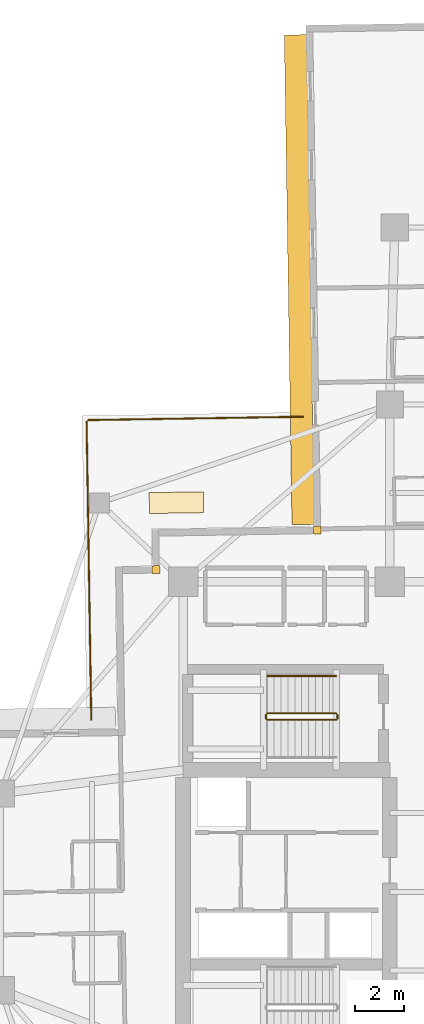
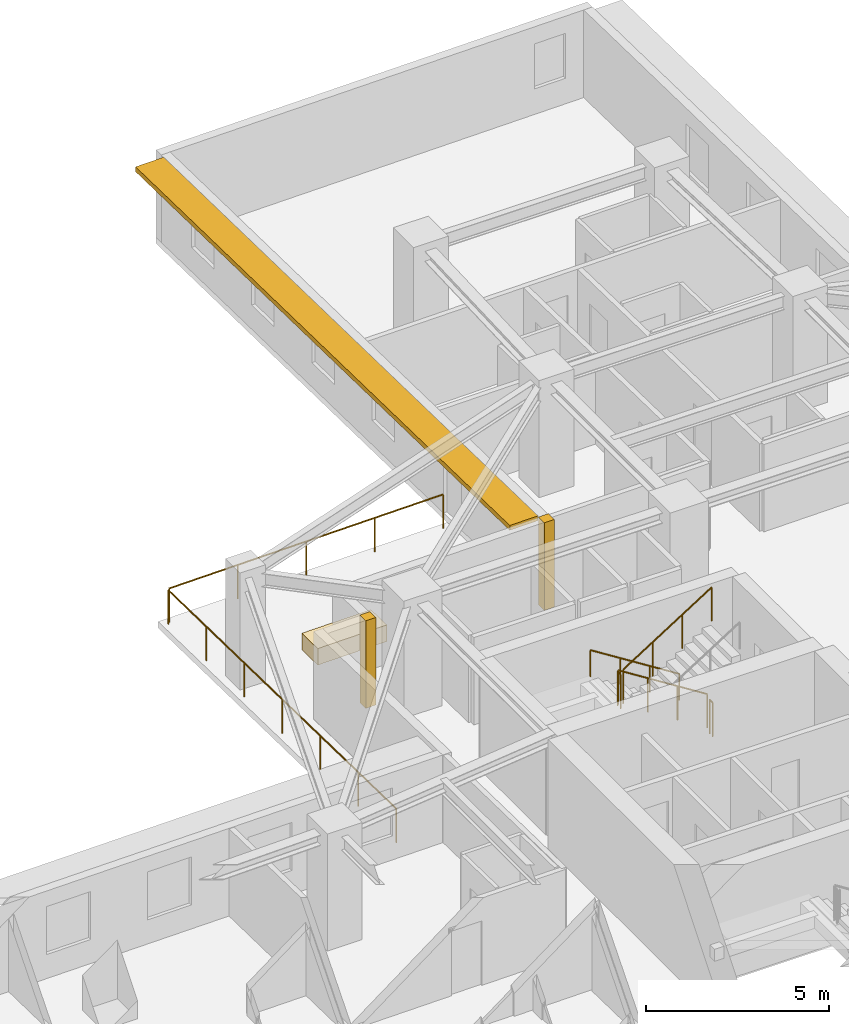
# One storey, part 12 of 13: 7 railings, 3 coverings, 1 shading device.
"""IFC4 building model written with IfcOpenShell, lengths in metres."""

import ifcopenshell
import ifcopenshell.guid

model = None  # the IFC model being written
_history = None  # IfcOwnerHistory: only IFC2X3 demands one
_inside = {}  # id of a spatial element -> (the spatial element, [elements in it])
_under = {}  # id of a project, library or spatial element -> (it, [spatial elements below it])
_declared = {}  # id of a project -> (the project, [libraries it declares])
_typed = {}  # id of a type object -> (the type object, [elements of that type])
_made_of = {}  # id of a material, layer set ... -> (it, [elements and type objects made of it])


def new_model(schema):
    """Start an empty IFC model of exactly this schema.

    Asked for "IFC4X3", IfcOpenShell would pick the latest addendum, in which some entities
    have other attributes; the version numbers below select the first issue.
    IFC2X3 requires an IfcOwnerHistory on every rooted entity: one is made here for all.
    """
    global model, _history
    if schema == "IFC4X3":
        model = ifcopenshell.file(schema_version=(4, 3, 0, 0))
    else:
        model = ifcopenshell.file(schema=schema)
    _inside.clear()
    _under.clear()
    _declared.clear()
    _typed.clear()
    _made_of.clear()
    _history = None
    if model.schema == "IFC2X3":
        org = make("IfcOrganization", Name="unknown")
        user = make(
            "IfcPersonAndOrganization",
            ThePerson=make("IfcPerson", FamilyName="unknown"),
            TheOrganization=org,
        )
        app = make(
            "IfcApplication",
            ApplicationDeveloper=org,
            Version="unknown",
            ApplicationFullName="unknown",
            ApplicationIdentifier="unknown",
        )
        _history = make(
            "IfcOwnerHistory",
            OwningUser=user,
            OwningApplication=app,
            ChangeAction="ADDED",
            CreationDate=0,
        )
    return model


def make(cls, **values):
    """One entity of the class cls with the attributes given. An attribute that is None is left unset."""
    return model.create_entity(
        cls, **{name: value for name, value in values.items() if value is not None}
    )


def rooted(cls, **values):
    """An entity with a GlobalId (a new one), such as an element, a storey or a relation."""
    return make(cls, GlobalId=ifcopenshell.guid.new(), OwnerHistory=_history, **values)


def si_unit(unit_type, name, prefix=None):
    """IfcSIUnit, for example si_unit("LENGTHUNIT", "METRE", prefix="MILLI")."""
    return make("IfcSIUnit", UnitType=unit_type, Prefix=prefix, Name=name)


def assignment(units):
    """IfcUnitAssignment: the units of a project."""
    return None if units is None else make("IfcUnitAssignment", Units=units)


def point(xyz):
    """IfcCartesianPoint."""
    return None if xyz is None else make("IfcCartesianPoint", Coordinates=xyz)


def direction(xyz):
    """IfcDirection."""
    return None if xyz is None else make("IfcDirection", DirectionRatios=xyz)


def frame(location, z_axis=None, x_axis=None):
    """IfcAxis2Placement3D, a coordinate frame: its origin and axes. An axis left out is left unset."""
    return make(
        "IfcAxis2Placement3D",
        Location=point(location),
        Axis=direction(z_axis),
        RefDirection=direction(x_axis),
    )


def frame_2d(location, x_axis=None):
    """IfcAxis2Placement2D, a coordinate frame in the plane: its origin and x axis."""
    return make(
        "IfcAxis2Placement2D", Location=point(location), RefDirection=direction(x_axis)
    )


def origin():
    """The frame at (0, 0, 0) with its axes left unset."""
    return frame((0.0, 0.0, 0.0))


def origin_2d():
    """The frame at (0, 0) in the plane with its x axis left unset."""
    return frame_2d((0.0, 0.0))


def place(relative_to, where):
    """IfcLocalPlacement: puts the frame where relative to a parent placement (None: the world)."""
    return make(
        "IfcLocalPlacement", PlacementRelTo=relative_to, RelativePlacement=where
    )


def context(
    kind, dimensions, precision=None, world=None, true_north=None, identifier=None
):
    """IfcGeometricRepresentationContext, for example the 3D "Model" context."""
    return make(
        "IfcGeometricRepresentationContext",
        ContextIdentifier=identifier,
        ContextType=kind,
        CoordinateSpaceDimension=dimensions,
        Precision=precision,
        WorldCoordinateSystem=world,
        TrueNorth=true_north,
    )


def subcontext(parent, identifier, kind, view, scale=None):
    """IfcGeometricRepresentationSubContext, for example "Body" below "Model"."""
    return make(
        "IfcGeometricRepresentationSubContext",
        ContextIdentifier=identifier,
        ContextType=kind,
        ParentContext=parent,
        TargetScale=scale,
        TargetView=view,
    )


def project(units=None, contexts=None):
    """IfcProject with its units and contexts."""
    return rooted(
        "IfcProject",
        Name="project",
        RepresentationContexts=contexts,
        UnitsInContext=assignment(units),
    )


def spatial(cls, under=None, at=None, **own):
    """A site, building, storey or space (cls), placed at a placement, below another one or the project."""
    s = rooted(cls, ObjectPlacement=at, **own)
    if under is not None:
        _under.setdefault(under.id(), (under, []))[1].append(s)
    return s


def profile(cls, at=None, kind="AREA", **sizes):
    """A parametric profile (cls). Its sizes go by their IFC names, for example OverallWidth=200.0."""
    return make(cls, ProfileType=kind, Position=at, **sizes)


def rectangle(**sizes):
    """IfcRectangleProfileDef."""
    return profile("IfcRectangleProfileDef", **sizes)


def circle(**sizes):
    """IfcCircleProfileDef."""
    return profile("IfcCircleProfileDef", **sizes)


def extrude(swept, where, along, depth):
    """IfcExtrudedAreaSolid: the profile swept, set in the frame where, extruded along a direction by depth."""
    return make(
        "IfcExtrudedAreaSolid",
        SweptArea=swept,
        Position=where,
        ExtrudedDirection=direction(along),
        Depth=depth,
    )


def shape(context_of_items, identifier, shape_type, items):
    """IfcShapeRepresentation: the items that make up one representation, for example the "Body"."""
    return make(
        "IfcShapeRepresentation",
        ContextOfItems=context_of_items,
        RepresentationIdentifier=identifier,
        RepresentationType=shape_type,
        Items=items,
    )


def material(Name=None, Category=None):
    """IfcMaterial."""
    return make("IfcMaterial", Name=Name, Category=Category)


def layer(
    of_material, thickness, ventilated=None, Name=None, Category=None, Priority=None
):
    """IfcMaterialLayer: one layer of a wall or slab, of a material (None: an air gap)."""
    return make(
        "IfcMaterialLayer",
        Material=of_material,
        LayerThickness=thickness,
        IsVentilated=ventilated,
        Name=Name,
        Category=Category,
        Priority=Priority,
    )


def layer_set(layers, Name=None):
    """IfcMaterialLayerSet."""
    return make("IfcMaterialLayerSet", MaterialLayers=layers, LayerSetName=Name)


def made_of(thing, what):
    """Note that an element or type object is made of a material, layer set ...; save() writes the relation."""
    if what is not None:
        _made_of.setdefault(what.id(), (what, []))[1].append(thing)
    return thing


def type_object(cls, material=None, **own):
    """A type object (cls), such as IfcWallType, which elements share."""
    return made_of(rooted(cls, **own), material)


def element(
    cls,
    number,
    at=None,
    inside=None,
    cuts=None,
    type_object=None,
    material=None,
    context=None,
    identifier="Body",
    shape_type=None,
    held_by="IfcProductDefinitionShape",
    body=None,
    shapes=None,
    **own,
):
    """One element of the class cls, such as IfcWall. Its Tag is "e" and its number.

    at: its placement. inside: the storey or other place that contains it. cuts: it is an
    opening in that element (IfcRelVoidsElement). A single representation is given by context,
    identifier, shape_type and body (its items); several are given by shapes. held_by: the class
    of the entity that holds the representations. save() writes the other relations.
    """
    e = rooted(cls, Tag="e%d" % number, ObjectPlacement=at, **own)
    if body is not None:
        shapes = [shape(context, identifier, shape_type, body)]
    if shapes is not None:
        e.Representation = make(held_by, Representations=shapes)
    if inside is not None:
        _inside.setdefault(inside.id(), (inside, []))[1].append(e)
    if cuts is not None:
        rooted(
            "IfcRelVoidsElement", RelatingBuildingElement=cuts, RelatedOpeningElement=e
        )
    if type_object is not None:
        _typed.setdefault(type_object.id(), (type_object, []))[1].append(e)
    return made_of(e, material)


def aggregate(whole, parts):
    """IfcRelAggregates: a whole, such as a stair, and the parts it consists of."""
    return rooted("IfcRelAggregates", RelatingObject=whole, RelatedObjects=parts)


def save(model, path):
    """Write the relations noted so far, then the file.

    IfcRelAggregates (storeys below a building ...), IfcRelContainedInSpatialStructure (elements
    in a storey), IfcRelDefinesByType, IfcRelAssociatesMaterial and IfcRelDeclares: one each for
    every whole, place, type object, material and project.
    """
    for whole, parts in _under.values():
        aggregate(whole, parts)
    for where, things in _inside.values():
        rooted(
            "IfcRelContainedInSpatialStructure",
            RelatedElements=things,
            RelatingStructure=where,
        )
    for kind, things in _typed.values():
        rooted("IfcRelDefinesByType", RelatedObjects=things, RelatingType=kind)
    for what, things in _made_of.values():
        rooted("IfcRelAssociatesMaterial", RelatedObjects=things, RelatingMaterial=what)
    for by, libraries in _declared.values():
        rooted("IfcRelDeclares", RelatingContext=by, RelatedDefinitions=libraries)
    model.write(path)


model = new_model("IFC4")

# Units and contexts
model_context = context("Model", 3, precision=1e-05, world=origin(), true_north=direction((0.0, 1.0)))
body_context = subcontext(model_context, "Body", "Model", "MODEL_VIEW")
ifc_project = project(units=[si_unit("LENGTHUNIT", "METRE"), si_unit("AREAUNIT", "SQUARE_METRE"), si_unit("VOLUMEUNIT", "CUBIC_METRE"), si_unit("PLANEANGLEUNIT", "RADIAN"), si_unit("MASSUNIT", "GRAM", prefix="KILO")], contexts=[model_context])

# Site, building, storey
site_placement = place(None, origin())
site = spatial("IfcSite", under=ifc_project, at=site_placement, CompositionType="ELEMENT")
building_placement = place(site_placement, origin())
building = spatial("IfcBuilding", under=site, at=building_placement, Name="Qingluan Cross Belvedere", CompositionType="ELEMENT")
storey_placement = place(building_placement, frame((0.0, 0.0, 139.800048828125)))
storey = spatial("IfcBuildingStorey", under=building, at=storey_placement, Name="L35", CompositionType="ELEMENT", Elevation=139.800048828125)

# Coverings
ifc_material_1 = material(Name="Precast concrete C45", Category="concrete")
ifc_layer_1 = layer(ifc_material_1, 0.1201171875, Name="ConcreteSpandrelCladding_120")
ifc_layer_set_1 = layer_set([ifc_layer_1], Name="Precast concrete C45")
covering_type_1 = type_object("IfcCoveringType", Name="ConcreteSpandrelCladding_120", PredefinedType="CLADDING", material=ifc_layer_set_1)
for number, where, z_axis, x_axis, name in (
    (1, (-13.50732421875, 13.089599609375, 0.0), (0.0, 0.0, 1.0), (0.999876632482, 0.015707317312, 0.0), "Corner closure L35-NW1"),
    (2, (-6.95166015625, 14.692626953125, 0.0), (0.0, 0.0, 1.0), (0.999876632482, 0.015707317312, 0.0), "Corner closure L35-NW2"),
):
    element("IfcCovering", number, at=place(storey_placement, frame(where, z_axis=z_axis, x_axis=x_axis)), inside=storey, type_object=covering_type_1, Name=name, PredefinedType="CLADDING", context=body_context, shape_type="SweptSolid", body=[
        extrude(rectangle(XDim=0.320068359375, YDim=0.320068359375, at=origin_2d()), origin(), (0.0, 0.0, 1.0), 2.919921875),
    ])

# Shading device
ifc_material_2 = material(Name="Precast concrete C45", Category="concrete")
ifc_layer_2 = layer(ifc_material_2, 0.159912109375, Name="ConcreteSunshadeBand_900")
ifc_layer_set_2 = layer_set([ifc_layer_2], Name="Precast concrete C45")
shading_device_type = type_object("IfcShadingDeviceType", Name="ConcreteSunshadeBand_900", PredefinedType="USERDEFINED", material=ifc_layer_set_2)
shading_device_placement = place(storey_placement, frame((-7.681640625, 24.872314453125, 2.740234375), z_axis=(0.0, 0.0, 1.0), x_axis=(0.015711457647, -0.999876567432, 0.0)))
element("IfcShadingDevice", 3, at=shading_device_placement, inside=storey, type_object=shading_device_type, Name="Concrete SUNSHADE L35-NB", ObjectType="SUNSHADE", PredefinedType="USERDEFINED", context=body_context, shape_type="SweptSolid", body=[
    extrude(rectangle(XDim=19.89990234375, YDim=0.89990234375, at=origin_2d()), origin(), (0.0, 0.0, 1.0), 0.159912109375),
])

# Railings
ifc_material_3 = material(Name="Brushed stainless steel tubular handrail", Category="steel")
railing_type_1 = type_object("IfcRailingType", Name="StairPitchHandrail_900", PredefinedType="HANDRAIL", material=ifc_material_3)
railing_1_placement = place(storey_placement, frame((-6.179931640625, 8.77001953125, 0.17724609375)))
element("IfcRailing", 4, at=railing_1_placement, inside=storey, type_object=railing_type_1, Name="L35 ST3 stair handrail 1", PredefinedType="HANDRAIL", context=body_context, shape_type="SweptSolid", body=[
    extrude(circle(Radius=0.02392578125, at=origin_2d()), frame((0.0, 0.0, 0.8759765625), z_axis=(-0.844908973607, 0.0, 0.534910110503), x_axis=(0.0, -1.0, 0.0)), (0.0, 0.0, 1.0), 3.31396484375),
    extrude(circle(Radius=0.02099609375, at=origin_2d()), origin(), (0.0, 0.0, 1.0), 0.851806640625),
    extrude(circle(Radius=0.02099609375, at=origin_2d()), frame((-0.933349609375, 0.0, 0.5908203125)), (0.0, 0.0, 1.0), 0.851806640625),
    extrude(circle(Radius=0.02099609375, at=origin_2d()), frame((-1.86669921875, 0.0, 1.181884765625)), (0.0, 0.0, 1.0), 0.851806640625),
    extrude(circle(Radius=0.02099609375, at=origin_2d()), frame((-2.800048828125, 0.0, 1.772705078125)), (0.0, 0.0, 1.0), 0.851806640625),
])
ifc_material_4 = material(Name="Painted steel stair well guard", Category="steel")
railing_type_2 = type_object("IfcRailingType", Name="StairWellGuard_1150", PredefinedType="BALUSTRADE", material=ifc_material_4)
railing_2_placement = place(storey_placement, frame((-6.179931640625, 7.25, 0.17724609375)))
element("IfcRailing", 5, at=railing_2_placement, inside=storey, type_object=railing_type_2, Name="L35 ST3 stair guard 1", PredefinedType="BALUSTRADE", context=body_context, shape_type="SweptSolid", body=[
    extrude(circle(Radius=0.02392578125, at=origin_2d()), frame((0.0, 0.0, 1.1259765625), z_axis=(-0.844908973607, 0.0, 0.534910110503), x_axis=(0.0, -1.0, 0.0)), (0.0, 0.0, 1.0), 3.31396484375),
    extrude(circle(Radius=0.02099609375, at=origin_2d()), origin(), (0.0, 0.0, 1.0), 1.101806640625),
    extrude(circle(Radius=0.02099609375, at=origin_2d()), frame((-0.933349609375, 0.0, 0.5908203125)), (0.0, 0.0, 1.0), 1.101806640625),
    extrude(circle(Radius=0.02099609375, at=origin_2d()), frame((-1.86669921875, 0.0, 1.181884765625)), (0.0, 0.0, 1.0), 1.101806640625),
    extrude(circle(Radius=0.02099609375, at=origin_2d()), frame((-2.800048828125, 0.0, 1.772705078125)), (0.0, 0.0, 1.0), 1.101806640625),
])
railing_3_placement = place(storey_placement, frame((-9.030029296875, 7.199951171875, 1.949951171875)))
element("IfcRailing", 6, at=railing_3_placement, inside=storey, type_object=railing_type_2, Name="L35 ST3 stair guard 2", PredefinedType="BALUSTRADE", context=body_context, shape_type="SweptSolid", body=[
    extrude(circle(Radius=0.02392578125, at=origin_2d()), frame((0.0, 0.0, 1.1259765625), z_axis=(0.0, -1.0, 0.0), x_axis=(1.0, 0.0, 0.0)), (0.0, 0.0, 1.0), 0.159912109375),
    extrude(circle(Radius=0.02099609375, at=origin_2d()), origin(), (0.0, 0.0, 1.0), 1.101806640625),
    extrude(circle(Radius=0.02099609375, at=origin_2d()), frame((0.0, -0.159912109375, 0.0)), (0.0, 0.0, 1.0), 1.101806640625),
])
railing_4_placement = place(storey_placement, frame((-8.97998046875, 6.989990234375, 2.127197265625)))
element("IfcRailing", 7, at=railing_4_placement, inside=storey, type_object=railing_type_2, Name="L35 ST3 stair guard 3", PredefinedType="BALUSTRADE", context=body_context, shape_type="SweptSolid", body=[
    extrude(circle(Radius=0.02392578125, at=origin_2d()), frame((0.0, 0.0, 1.1259765625), z_axis=(0.844908973607, 0.0, 0.534910110503), x_axis=(0.0, 1.0, 0.0)), (0.0, 0.0, 1.0), 3.31396484375),
    extrude(circle(Radius=0.02099609375, at=origin_2d()), origin(), (0.0, 0.0, 1.0), 1.101806640625),
    extrude(circle(Radius=0.02099609375, at=origin_2d()), frame((0.933349609375, 0.0, 0.5908203125)), (0.0, 0.0, 1.0), 1.101806640625),
    extrude(circle(Radius=0.02099609375, at=origin_2d()), frame((1.86669921875, 0.0, 1.181884765625)), (0.0, 0.0, 1.0), 1.101806640625),
    extrude(circle(Radius=0.02099609375, at=origin_2d()), frame((2.800048828125, 0.0, 1.772705078125)), (0.0, 0.0, 1.0), 1.101806640625),
])
railing_5_placement = place(storey_placement, frame((-6.1298828125, 7.199951171875, 0.0)))
element("IfcRailing", 8, at=railing_5_placement, inside=storey, type_object=railing_type_2, Name="L35 ST3 stair guard 4", PredefinedType="BALUSTRADE", context=body_context, shape_type="SweptSolid", body=[
    extrude(circle(Radius=0.02392578125, at=origin_2d()), frame((0.0, 0.0, 1.1259765625), z_axis=(0.0, -1.0, 0.0), x_axis=(1.0, 0.0, 0.0)), (0.0, 0.0, 1.0), 0.159912109375),
    extrude(circle(Radius=0.02099609375, at=origin_2d()), origin(), (0.0, 0.0, 1.0), 1.101806640625),
    extrude(circle(Radius=0.02099609375, at=origin_2d()), frame((0.0, -0.159912109375, 0.0)), (0.0, 0.0, 1.0), 1.101806640625),
])
ifc_material_5 = material(Name="Laminated glass and stainless steel balustrade", Category="steel")
railing_type_3 = type_object("IfcRailingType", Name="TerraceGuardBalustrade_1150", PredefinedType="BALUSTRADE", material=ifc_material_5)
railing_6_placement = place(storey_placement, frame((-16.1318359375, 6.987548828125, 0.0)))
element("IfcRailing", 9, at=railing_6_placement, inside=storey, type_object=railing_type_3, Name="Terrace guard L35-1", PredefinedType="BALUSTRADE", context=body_context, shape_type="SweptSolid", body=[
    extrude(circle(Radius=0.02392578125, at=origin_2d()), frame((0.0, 0.0, 1.1259765625), z_axis=(-0.015712144452, 0.999876556639, 0.0), x_axis=(-0.999876556639, -0.015712144452, 0.0)), (0.0, 0.0, 1.0), 12.119873046875),
    extrude(circle(Radius=0.02099609375, at=origin_2d()), origin(), (0.0, 0.0, 1.0), 1.101806640625),
    extrude(circle(Radius=0.02099609375, at=origin_2d()), frame((-0.03173828125, 2.019775390625, 0.0)), (0.0, 0.0, 1.0), 1.101806640625),
    extrude(circle(Radius=0.02099609375, at=origin_2d()), frame((-0.0634765625, 4.03955078125, 0.0)), (0.0, 0.0, 1.0), 1.101806640625),
    extrude(circle(Radius=0.02099609375, at=origin_2d()), frame((-0.09521484375, 6.05908203125, 0.0)), (0.0, 0.0, 1.0), 1.101806640625),
    extrude(circle(Radius=0.02099609375, at=origin_2d()), frame((-0.126953125, 8.078857421875, 0.0)), (0.0, 0.0, 1.0), 1.101806640625),
    extrude(circle(Radius=0.02099609375, at=origin_2d()), frame((-0.15869140625, 10.0986328125, 0.0)), (0.0, 0.0, 1.0), 1.101806640625),
    extrude(circle(Radius=0.02099609375, at=origin_2d()), frame((-0.1904296875, 12.118408203125, 0.0)), (0.0, 0.0, 1.0), 1.101806640625),
])
railing_7_placement = place(storey_placement, frame((-16.26318359375, 19.1669921875, 0.0)))
element("IfcRailing", 10, at=railing_7_placement, inside=storey, type_object=railing_type_3, Name="Terrace guard L35-2", PredefinedType="BALUSTRADE", context=body_context, shape_type="SweptSolid", body=[
    extrude(circle(Radius=0.02392578125, at=origin_2d()), frame((0.0, 0.0, 1.1259765625), z_axis=(0.999876643314, 0.015706627752, 0.0), x_axis=(-0.015706627752, 0.999876643314, 0.0)), (0.0, 0.0, 1.0), 8.719970703125),
    extrude(circle(Radius=0.02099609375, at=origin_2d()), origin(), (0.0, 0.0, 1.0), 1.101806640625),
    extrude(circle(Radius=0.02099609375, at=origin_2d()), frame((2.1796875, 0.0341796875, 0.0)), (0.0, 0.0, 1.0), 1.101806640625),
    extrude(circle(Radius=0.02099609375, at=origin_2d()), frame((4.359375, 0.068359375, 0.0)), (0.0, 0.0, 1.0), 1.101806640625),
    extrude(circle(Radius=0.02099609375, at=origin_2d()), frame((6.539306640625, 0.102783203125, 0.0)), (0.0, 0.0, 1.0), 1.101806640625),
    extrude(circle(Radius=0.02099609375, at=origin_2d()), frame((8.718994140625, 0.136962890625, 0.0)), (0.0, 0.0, 1.0), 1.101806640625),
])

# Covering
ifc_material_6 = material(Name="Precast concrete C40", Category="concrete")
ifc_layer_3 = layer(ifc_material_6, 0.550048828125, Name="TerracePlanterBox")
ifc_layer_set_3 = layer_set([ifc_layer_3], Name="Precast concrete C40")
covering_type_2 = type_object("IfcCoveringType", Name="TerracePlanterBox", PredefinedType="USERDEFINED", material=ifc_layer_set_3)
covering_placement = place(storey_placement, frame((-12.675048828125, 15.81201171875, 0.0), z_axis=(0.0, 0.0, 1.0), x_axis=(0.999876632482, 0.015707317312, 0.0)))
element("IfcCovering", 11, at=covering_placement, inside=storey, type_object=covering_type_2, Name="Spiralling winter-garden planter L35", ObjectType="PLANTER", PredefinedType="USERDEFINED", context=body_context, shape_type="SweptSolid", body=[
    extrude(rectangle(XDim=2.199951171875, YDim=0.85009765625, at=origin_2d()), origin(), (0.0, 0.0, 1.0), 0.550048828125),
])

save(model, "model.ifc")
